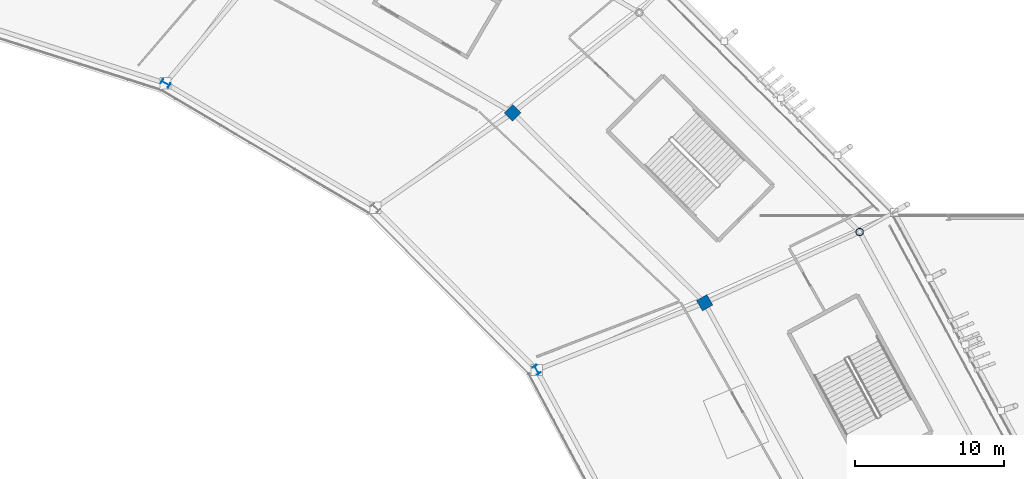
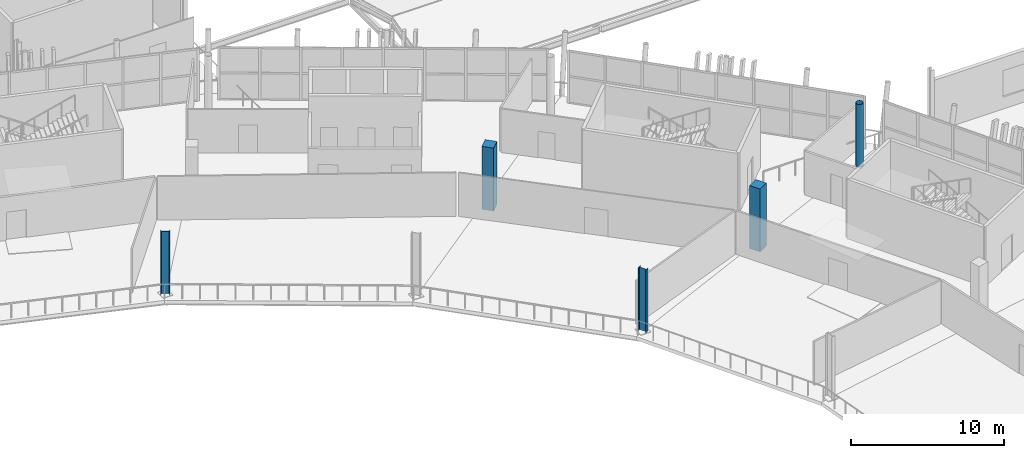
# One storey, part 15 of 179: 5 columns.
"""IFC4 building model written with IfcOpenShell, lengths in metres."""

import ifcopenshell
import ifcopenshell.guid

model = None  # the IFC model being written
_history = None  # IfcOwnerHistory: only IFC2X3 demands one
_inside = {}  # id of a spatial element -> (the spatial element, [elements in it])
_under = {}  # id of a project, library or spatial element -> (it, [spatial elements below it])
_declared = {}  # id of a project -> (the project, [libraries it declares])
_typed = {}  # id of a type object -> (the type object, [elements of that type])
_made_of = {}  # id of a material, layer set ... -> (it, [elements and type objects made of it])


def new_model(schema):
    """Start an empty IFC model of exactly this schema.

    Asked for "IFC4X3", IfcOpenShell would pick the latest addendum, in which some entities
    have other attributes; the version numbers below select the first issue.
    IFC2X3 requires an IfcOwnerHistory on every rooted entity: one is made here for all.
    """
    global model, _history
    if schema == "IFC4X3":
        model = ifcopenshell.file(schema_version=(4, 3, 0, 0))
    else:
        model = ifcopenshell.file(schema=schema)
    _inside.clear()
    _under.clear()
    _declared.clear()
    _typed.clear()
    _made_of.clear()
    _history = None
    if model.schema == "IFC2X3":
        org = make("IfcOrganization", Name="unknown")
        user = make(
            "IfcPersonAndOrganization",
            ThePerson=make("IfcPerson", FamilyName="unknown"),
            TheOrganization=org,
        )
        app = make(
            "IfcApplication",
            ApplicationDeveloper=org,
            Version="unknown",
            ApplicationFullName="unknown",
            ApplicationIdentifier="unknown",
        )
        _history = make(
            "IfcOwnerHistory",
            OwningUser=user,
            OwningApplication=app,
            ChangeAction="ADDED",
            CreationDate=0,
        )
    return model


def make(cls, **values):
    """One entity of the class cls with the attributes given. An attribute that is None is left unset."""
    return model.create_entity(
        cls, **{name: value for name, value in values.items() if value is not None}
    )


def rooted(cls, **values):
    """An entity with a GlobalId (a new one), such as an element, a storey or a relation."""
    return make(cls, GlobalId=ifcopenshell.guid.new(), OwnerHistory=_history, **values)


def si_unit(unit_type, name, prefix=None):
    """IfcSIUnit, for example si_unit("LENGTHUNIT", "METRE", prefix="MILLI")."""
    return make("IfcSIUnit", UnitType=unit_type, Prefix=prefix, Name=name)


def assignment(units):
    """IfcUnitAssignment: the units of a project."""
    return None if units is None else make("IfcUnitAssignment", Units=units)


def point(xyz):
    """IfcCartesianPoint."""
    return None if xyz is None else make("IfcCartesianPoint", Coordinates=xyz)


def direction(xyz):
    """IfcDirection."""
    return None if xyz is None else make("IfcDirection", DirectionRatios=xyz)


def frame(location, z_axis=None, x_axis=None):
    """IfcAxis2Placement3D, a coordinate frame: its origin and axes. An axis left out is left unset."""
    return make(
        "IfcAxis2Placement3D",
        Location=point(location),
        Axis=direction(z_axis),
        RefDirection=direction(x_axis),
    )


def frame_2d(location, x_axis=None):
    """IfcAxis2Placement2D, a coordinate frame in the plane: its origin and x axis."""
    return make(
        "IfcAxis2Placement2D", Location=point(location), RefDirection=direction(x_axis)
    )


def origin():
    """The frame at (0, 0, 0) with its axes left unset."""
    return frame((0.0, 0.0, 0.0))


def origin_2d():
    """The frame at (0, 0) in the plane with its x axis left unset."""
    return frame_2d((0.0, 0.0))


def place(relative_to, where):
    """IfcLocalPlacement: puts the frame where relative to a parent placement (None: the world)."""
    return make(
        "IfcLocalPlacement", PlacementRelTo=relative_to, RelativePlacement=where
    )


def context(
    kind, dimensions, precision=None, world=None, true_north=None, identifier=None
):
    """IfcGeometricRepresentationContext, for example the 3D "Model" context."""
    return make(
        "IfcGeometricRepresentationContext",
        ContextIdentifier=identifier,
        ContextType=kind,
        CoordinateSpaceDimension=dimensions,
        Precision=precision,
        WorldCoordinateSystem=world,
        TrueNorth=true_north,
    )


def subcontext(parent, identifier, kind, view, scale=None):
    """IfcGeometricRepresentationSubContext, for example "Body" below "Model"."""
    return make(
        "IfcGeometricRepresentationSubContext",
        ContextIdentifier=identifier,
        ContextType=kind,
        ParentContext=parent,
        TargetScale=scale,
        TargetView=view,
    )


def project(units=None, contexts=None):
    """IfcProject with its units and contexts."""
    return rooted(
        "IfcProject",
        Name="project",
        RepresentationContexts=contexts,
        UnitsInContext=assignment(units),
    )


def spatial(cls, under=None, at=None, **own):
    """A site, building, storey or space (cls), placed at a placement, below another one or the project."""
    s = rooted(cls, ObjectPlacement=at, **own)
    if under is not None:
        _under.setdefault(under.id(), (under, []))[1].append(s)
    return s


def profile(cls, at=None, kind="AREA", **sizes):
    """A parametric profile (cls). Its sizes go by their IFC names, for example OverallWidth=200.0."""
    return make(cls, ProfileType=kind, Position=at, **sizes)


def rectangle(**sizes):
    """IfcRectangleProfileDef."""
    return profile("IfcRectangleProfileDef", **sizes)


def hollow_circle(**sizes):
    """IfcCircleHollowProfileDef."""
    return profile("IfcCircleHollowProfileDef", **sizes)


def i_section(**sizes):
    """IfcIShapeProfileDef."""
    return profile("IfcIShapeProfileDef", **sizes)


def extrude(swept, where, along, depth):
    """IfcExtrudedAreaSolid: the profile swept, set in the frame where, extruded along a direction by depth."""
    return make(
        "IfcExtrudedAreaSolid",
        SweptArea=swept,
        Position=where,
        ExtrudedDirection=direction(along),
        Depth=depth,
    )


def shape(context_of_items, identifier, shape_type, items):
    """IfcShapeRepresentation: the items that make up one representation, for example the "Body"."""
    return make(
        "IfcShapeRepresentation",
        ContextOfItems=context_of_items,
        RepresentationIdentifier=identifier,
        RepresentationType=shape_type,
        Items=items,
    )


def material(Name=None, Category=None):
    """IfcMaterial."""
    return make("IfcMaterial", Name=Name, Category=Category)


def material_profile(
    of_material, cross_section, Name=None, Category=None, Priority=None
):
    """IfcMaterialProfile: a cross section and its material."""
    return make(
        "IfcMaterialProfile",
        Name=Name,
        Material=of_material,
        Profile=cross_section,
        Priority=Priority,
        Category=Category,
    )


def profile_set(profiles, Name=None, composite=None):
    """IfcMaterialProfileSet."""
    return make(
        "IfcMaterialProfileSet",
        Name=Name,
        MaterialProfiles=profiles,
        CompositeProfile=composite,
    )


def made_of(thing, what):
    """Note that an element or type object is made of a material, layer set ...; save() writes the relation."""
    if what is not None:
        _made_of.setdefault(what.id(), (what, []))[1].append(thing)
    return thing


def type_object(cls, material=None, **own):
    """A type object (cls), such as IfcWallType, which elements share."""
    return made_of(rooted(cls, **own), material)


def element(
    cls,
    number,
    at=None,
    inside=None,
    cuts=None,
    type_object=None,
    material=None,
    context=None,
    identifier="Body",
    shape_type=None,
    held_by="IfcProductDefinitionShape",
    body=None,
    shapes=None,
    **own,
):
    """One element of the class cls, such as IfcWall. Its Tag is "e" and its number.

    at: its placement. inside: the storey or other place that contains it. cuts: it is an
    opening in that element (IfcRelVoidsElement). A single representation is given by context,
    identifier, shape_type and body (its items); several are given by shapes. held_by: the class
    of the entity that holds the representations. save() writes the other relations.
    """
    e = rooted(cls, Tag="e%d" % number, ObjectPlacement=at, **own)
    if body is not None:
        shapes = [shape(context, identifier, shape_type, body)]
    if shapes is not None:
        e.Representation = make(held_by, Representations=shapes)
    if inside is not None:
        _inside.setdefault(inside.id(), (inside, []))[1].append(e)
    if cuts is not None:
        rooted(
            "IfcRelVoidsElement", RelatingBuildingElement=cuts, RelatedOpeningElement=e
        )
    if type_object is not None:
        _typed.setdefault(type_object.id(), (type_object, []))[1].append(e)
    return made_of(e, material)


def aggregate(whole, parts):
    """IfcRelAggregates: a whole, such as a stair, and the parts it consists of."""
    return rooted("IfcRelAggregates", RelatingObject=whole, RelatedObjects=parts)


def save(model, path):
    """Write the relations noted so far, then the file.

    IfcRelAggregates (storeys below a building ...), IfcRelContainedInSpatialStructure (elements
    in a storey), IfcRelDefinesByType, IfcRelAssociatesMaterial and IfcRelDeclares: one each for
    every whole, place, type object, material and project.
    """
    for whole, parts in _under.values():
        aggregate(whole, parts)
    for where, things in _inside.values():
        rooted(
            "IfcRelContainedInSpatialStructure",
            RelatedElements=things,
            RelatingStructure=where,
        )
    for kind, things in _typed.values():
        rooted("IfcRelDefinesByType", RelatedObjects=things, RelatingType=kind)
    for what, things in _made_of.values():
        rooted("IfcRelAssociatesMaterial", RelatedObjects=things, RelatingMaterial=what)
    for by, libraries in _declared.values():
        rooted("IfcRelDeclares", RelatingContext=by, RelatedDefinitions=libraries)
    model.write(path)


model = new_model("IFC4")

# Units and contexts
model_context = context("Model", 3, precision=1e-05, world=origin(), true_north=direction((0.0, 1.0)))
body_context = subcontext(model_context, "Body", "Model", "MODEL_VIEW")
ifc_project = project(units=[si_unit("LENGTHUNIT", "METRE"), si_unit("AREAUNIT", "SQUARE_METRE"), si_unit("VOLUMEUNIT", "CUBIC_METRE"), si_unit("PLANEANGLEUNIT", "RADIAN"), si_unit("MASSUNIT", "GRAM", prefix="KILO")], contexts=[model_context])

# Site, building, storey
site_placement = place(None, origin())
site = spatial("IfcSite", under=ifc_project, at=site_placement, CompositionType="ELEMENT")
building_placement = place(site_placement, origin())
building = spatial("IfcBuilding", under=site, at=building_placement, Name="Zlatoyarsky Gate Stadium", CompositionType="ELEMENT")
storey_placement = place(building_placement, frame((0.0, 0.0, 10.60009765625)))
storey = spatial("IfcBuildingStorey", under=building, at=storey_placement, Name="L02", CompositionType="ELEMENT", Elevation=10.60009765625)

# Columns
ifc_material_1 = material(Name="Concrete C40/50", Category="concrete")
ifc_material_profile_1 = material_profile(ifc_material_1, rectangle(XDim=0.800048828125, YDim=0.800048828125, at=origin_2d()), Name="RC COL 800X800")
ifc_profile_set_1 = profile_set([ifc_material_profile_1], Name="Concrete C40/50")
column_type_1 = type_object("IfcColumnType", Name="CONCRETE COLUMN 800X800", PredefinedType="COLUMN", material=ifc_profile_set_1)
for number, where, z_axis, x_axis, name in (
    (1, (181.148193359375, 110.75, 0.0), (0.0, 0.0, 1.0), (0.866025403784, 0.5, 0.0), "Column RC-C80 RB-02 on L02"),
    (2, (168.275634765625, 123.487060546875, 0.0), (0.0, 0.0, 1.0), (0.707106781187, 0.707106781187, 0.0), "Column RC-C80 RB-03 on L02"),
):
    element("IfcColumn", number, at=place(storey_placement, frame(where, z_axis=z_axis, x_axis=x_axis)), inside=storey, type_object=column_type_1, Name=name, PredefinedType="COLUMN", context=body_context, shape_type="SweptSolid", body=[
        extrude(rectangle(XDim=0.800048828125, YDim=0.800048828125, at=origin_2d()), origin(), (0.0, 0.0, 1.0), 5.0),
    ])
ifc_material_2 = material(Name="Steel S355", Category="steel")
ifc_material_profile_2 = material_profile(ifc_material_2, i_section(OverallWidth=0.300048828125, OverallDepth=0.60009765625, WebThickness=0.015380859375, FlangeThickness=0.030029296875, FilletRadius=0.027099609375, at=origin_2d()), Name="HEB 600")
ifc_profile_set_2 = profile_set([ifc_material_profile_2], Name="Steel S355")
column_type_2 = type_object("IfcColumnType", Name="STEEL COLUMN HEB 600", PredefinedType="COLUMN", material=ifc_profile_set_2)
for number, where, z_axis, x_axis, name in (
    (3, (169.8896484375, 106.25, 0.0), (0.0, 0.0, 1.0), (0.866025403784, 0.5, 0.0), "Column ST-C600 RA-02 on L02"),
    (4, (145.0, 125.46630859375, 0.0), (0.0, 0.0, 1.0), (0.5, 0.866025403784, 0.0), "Column ST-C600 RA-04 on L02"),
):
    element("IfcColumn", number, at=place(storey_placement, frame(where, z_axis=z_axis, x_axis=x_axis)), inside=storey, type_object=column_type_2, Name=name, PredefinedType="COLUMN", context=body_context, shape_type="SweptSolid", body=[
        extrude(i_section(OverallWidth=0.300048828125, OverallDepth=0.60009765625, WebThickness=0.015380859375, FlangeThickness=0.030029296875, FilletRadius=0.027099609375, at=origin_2d()), origin(), (0.0, 0.0, 1.0), 5.0),
    ])
ifc_material_profile_3 = material_profile(ifc_material_2, hollow_circle(Radius=0.25390625, WallThickness=0.02490234375, at=origin_2d()), Name="CHS 508X25")
ifc_profile_set_3 = profile_set([ifc_material_profile_3], Name="Steel S355")
column_type_3 = type_object("IfcColumnType", Name="STEEL TUBULAR COLUMN CHS 508X25", PredefinedType="COLUMN", material=ifc_profile_set_3)
column_placement = place(storey_placement, frame((191.540283203125, 115.5, 0.0), z_axis=(0.0, 0.0, 1.0), x_axis=(0.866025403784, 0.5, 0.0)))
element("IfcColumn", 5, at=column_placement, inside=storey, type_object=column_type_3, Name="Column ST-C508 RC-02 on L02", PredefinedType="COLUMN", context=body_context, shape_type="SweptSolid", body=[
    extrude(hollow_circle(Radius=0.25390625, WallThickness=0.02490234375, at=origin_2d()), origin(), (0.0, 0.0, 1.0), 5.0),
])

save(model, "model.ifc")
